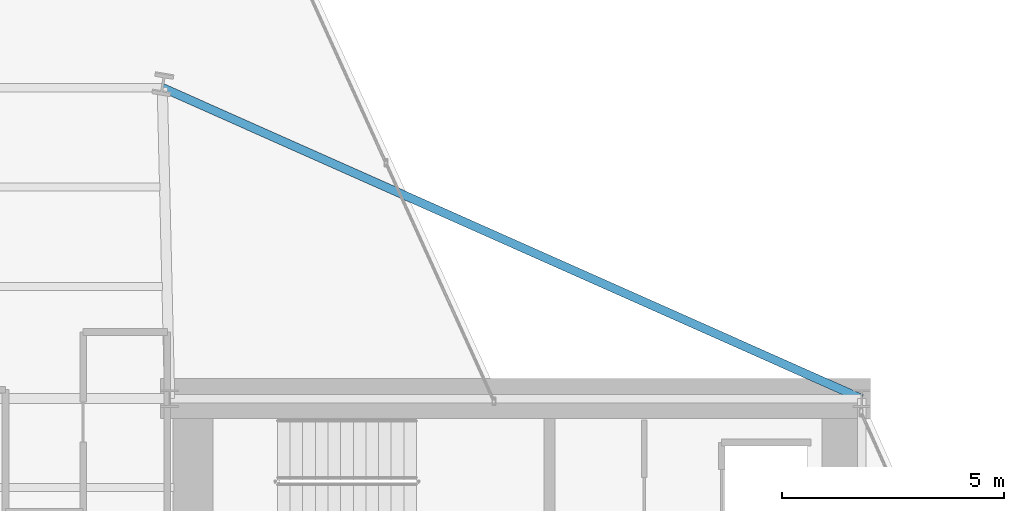
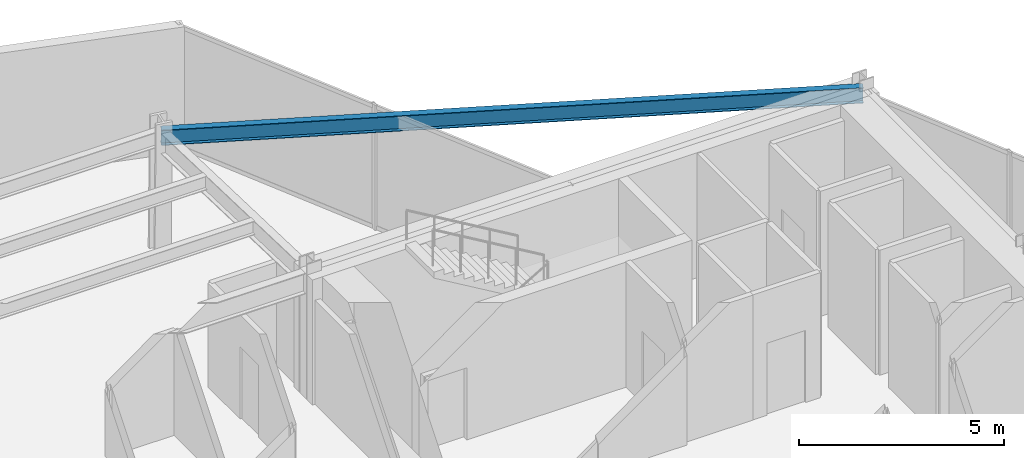
# One storey, part 15 of 25: 1 beam.
"""IFC4 building model written with IfcOpenShell, lengths in metres."""

from ifc_helpers import new_model, si_unit, direction, frame, origin, origin_2d, place, context, subcontext, project, spatial, i_section, extrude, material, material_profile, profile_set, type_object, element, save


model = new_model("IFC4")

# Units and contexts
model_context = context("Model", 3, precision=1e-05, world=origin(), true_north=direction((0.0, 1.0)))
body_context = subcontext(model_context, "Body", "Model", "MODEL_VIEW")
ifc_project = project(units=[si_unit("LENGTHUNIT", "METRE"), si_unit("AREAUNIT", "SQUARE_METRE"), si_unit("VOLUMEUNIT", "CUBIC_METRE"), si_unit("PLANEANGLEUNIT", "RADIAN"), si_unit("MASSUNIT", "GRAM", prefix="KILO")], contexts=[model_context])

# Site, building, storey
site_placement = place(None, origin())
site = spatial("IfcSite", under=ifc_project, at=site_placement, CompositionType="ELEMENT")
building_placement = place(site_placement, origin())
building = spatial("IfcBuilding", under=site, at=building_placement, Name="Veymaron Broadcast Tower", CompositionType="ELEMENT")
storey_placement = place(building_placement, frame((0.0, 0.0, 102.60009765625)))
storey = spatial("IfcBuildingStorey", under=building, at=storey_placement, Name="L23", CompositionType="ELEMENT", Elevation=102.60009765625)

# Beam
ifc_material = material(Name="Structural steel ASTM A992 Gr 50", Category="steel")
ifc_material_profile = material_profile(ifc_material, i_section(OverallWidth=0.19091796875, OverallDepth=0.4599609375, WebThickness=0.010009765625, FlangeThickness=0.01611328125, at=origin_2d()), Name="W460X82")
ifc_profile_set = profile_set([ifc_material_profile], Name="Structural steel ASTM A992 Gr 50")
beam_type = type_object("IfcBeamType", Name="BM-SP1", PredefinedType="SPANDREL", material=ifc_profile_set)
beam_placement = place(storey_placement, frame((54.60009765625, 32.0, 3.5), z_axis=(-0.913740929233, 0.406297322468, 0.0), x_axis=(-0.406297322468, -0.913740929233, 0.0)))
element("IfcBeam", 1, at=beam_placement, inside=storey, type_object=beam_type, Name="L23 primary structural floor girder", PredefinedType="SPANDREL", context=body_context, shape_type="SweptSolid", body=[
    extrude(i_section(OverallWidth=0.19091796875, OverallDepth=0.4599609375, WebThickness=0.010009765625, FlangeThickness=0.01611328125, at=origin_2d()), origin(), (0.0, 0.0, 1.0), 17.25341796875),
])

save(model, "model.ifc")
